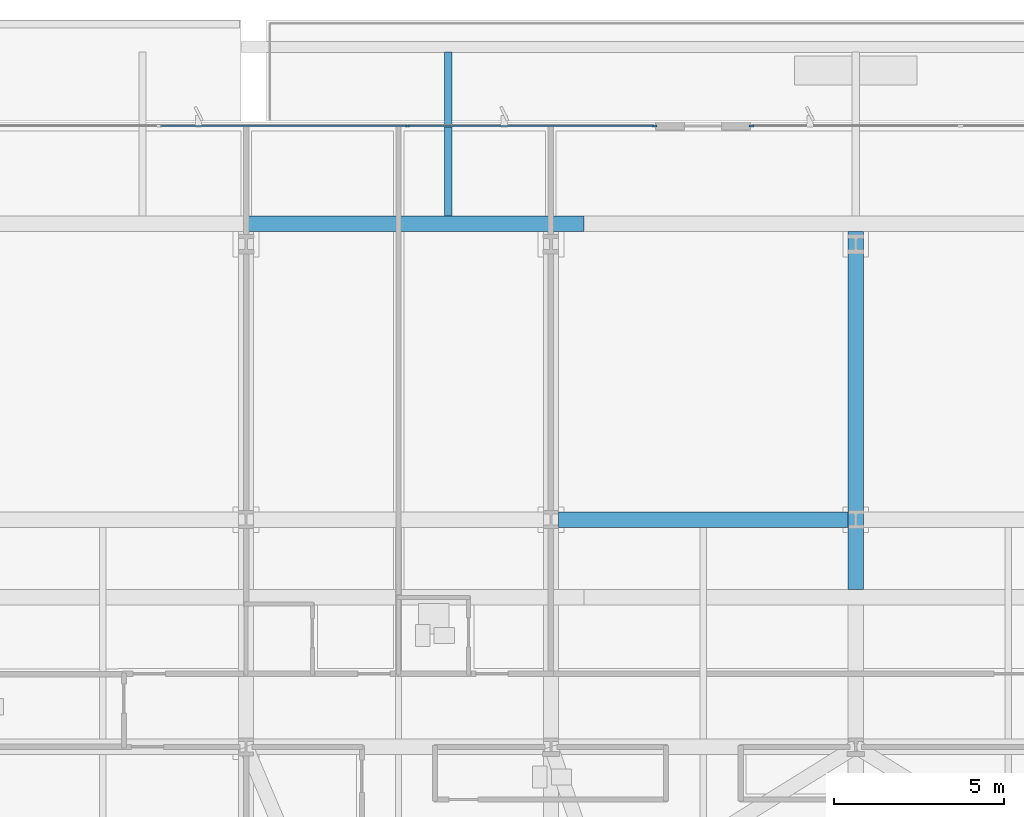
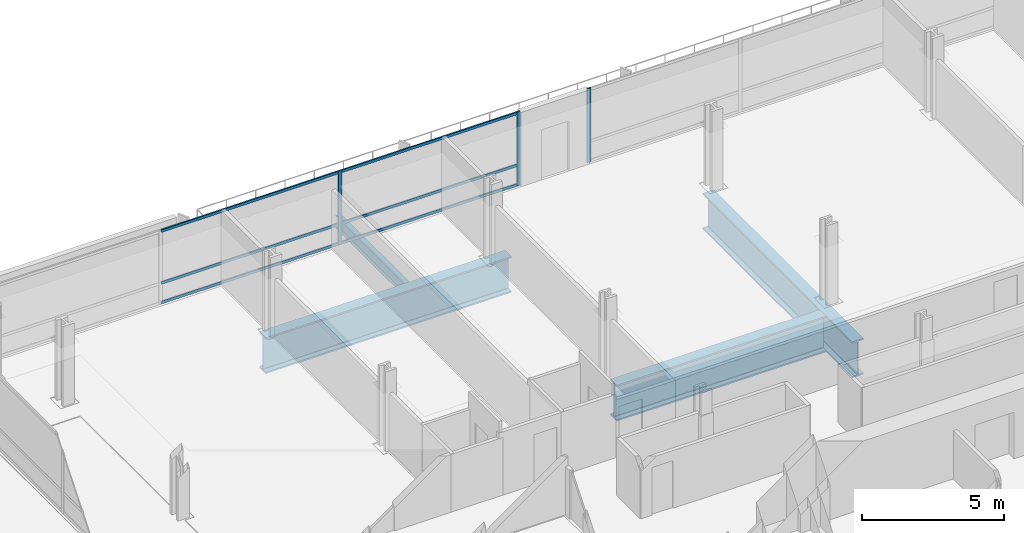
# One storey, part 12 of 25: 9 members, 4 beams, 2 elements without a shape of their own.
"""IFC4 building model written with IfcOpenShell, lengths in metres."""

from ifc_helpers import new_model, si_unit, direction, frame, origin, origin_2d, place, context, subcontext, project, spatial, rectangle, i_section, extrude, material, material_profile, profile_set, type_object, element, aggregate, save


model = new_model("IFC4")

# Units and contexts
model_context = context("Model", 3, precision=1e-05, world=origin(), true_north=direction((0.0, 1.0)))
body_context = subcontext(model_context, "Body", "Model", "MODEL_VIEW")
ifc_project = project(units=[si_unit("LENGTHUNIT", "METRE"), si_unit("AREAUNIT", "SQUARE_METRE"), si_unit("VOLUMEUNIT", "CUBIC_METRE"), si_unit("PLANEANGLEUNIT", "RADIAN"), si_unit("MASSUNIT", "GRAM", prefix="KILO")], contexts=[model_context])

# Site, building, storey
site_placement = place(None, origin())
site = spatial("IfcSite", under=ifc_project, at=site_placement, CompositionType="ELEMENT")
building_placement = place(site_placement, origin())
building = spatial("IfcBuilding", under=site, at=building_placement, Name="Solmavex Isthmus Hotel", CompositionType="ELEMENT")
storey_placement = place(building_placement, frame((0.0, 0.0, 26.39990234375)))
storey = spatial("IfcBuildingStorey", under=building, at=storey_placement, Name="L06", CompositionType="ELEMENT", Elevation=26.39990234375)

# Beams
ifc_material_1 = material(Name="Steel ASTM A992 Grade 50", Category="steel")
ifc_material_profile_1 = material_profile(ifc_material_1, i_section(OverallWidth=0.21240234375, OverallDepth=0.544189453125, WebThickness=0.01318359375, FlangeThickness=0.021240234375, FilletRadius=0.013916015625, at=origin_2d()), Name="W21X83")
ifc_profile_set_1 = profile_set([ifc_material_profile_1], Name="Steel ASTM A992 Grade 50")
beam_type_1 = type_object("IfcBeamType", Name="BM-BM-W21X83", PredefinedType="BEAM", material=ifc_profile_set_1)
beam_1_placement = place(storey_placement, frame((-12.0, 17.72509765625, -0.72216796875), z_axis=(0.0, 1.0, 0.0), x_axis=(-1.0, 0.0, 0.0)))
element("IfcBeam", 1, at=beam_1_placement, inside=storey, type_object=beam_type_1, Name="Podium Roof Terrace Framing Beam PRN-03", PredefinedType="BEAM", context=body_context, shape_type="SweptSolid", body=[
    extrude(i_section(OverallWidth=0.21240234375, OverallDepth=0.544189453125, WebThickness=0.01318359375, FlangeThickness=0.021240234375, FilletRadius=0.013916015625, at=origin_2d()), origin(), (0.0, 0.0, 1.0), 4.8349609375),
])
ifc_material_2 = material(Name="Steel ASTM A572 Grade 50", Category="steel")
ifc_material_profile_2 = material_profile(ifc_material_2, i_section(OverallWidth=0.449951171875, OverallDepth=1.550048828125, WebThickness=0.031982421875, FlangeThickness=0.06494140625, FilletRadius=0.030517578125, at=origin_2d()), Name="I1550X450")
ifc_profile_set_2 = profile_set([ifc_material_profile_2], Name="Steel ASTM A572 Grade 50")
beam_type_2 = type_object("IfcBeamType", Name="BM-TB-G1550", PredefinedType="BEAM", material=ifc_profile_set_2)
beam_2_placement = place(storey_placement, frame((-18.0, 17.5, -1.224853515625), z_axis=(1.0, 0.0, 0.0), x_axis=(0.0, 1.0, 0.0)))
element("IfcBeam", 2, at=beam_2_placement, inside=storey, type_object=beam_type_2, Name="Podium-to-Tower Mega Transfer Girder L06-MG11", PredefinedType="BEAM", context=body_context, shape_type="SweptSolid", body=[
    extrude(i_section(OverallWidth=0.449951171875, OverallDepth=1.550048828125, WebThickness=0.031982421875, FlangeThickness=0.06494140625, FilletRadius=0.030517578125, at=origin_2d()), origin(), (0.0, 0.0, 1.0), 10.0),
])
beam_3_placement = place(storey_placement, frame((0.0, 6.72509765625, -1.224853515625), z_axis=(0.0, 1.0, 0.0), x_axis=(-1.0, 0.0, 0.0)))
element("IfcBeam", 3, at=beam_3_placement, inside=storey, type_object=beam_type_2, Name="Tower Column Root Transfer Girder L06-MNS4C", PredefinedType="BEAM", context=body_context, shape_type="SweptSolid", body=[
    extrude(i_section(OverallWidth=0.449951171875, OverallDepth=1.550048828125, WebThickness=0.031982421875, FlangeThickness=0.06494140625, FilletRadius=0.030517578125, at=origin_2d()), origin(), (0.0, 0.0, 1.0), 10.5498046875),
])
beam_4_placement = place(storey_placement, frame((-8.7509765625, 8.7880859375, -1.224853515625), z_axis=(1.0, 0.0, 0.0), x_axis=(0.0, 1.0, 0.0)))
element("IfcBeam", 4, at=beam_4_placement, inside=storey, type_object=beam_type_2, Name="Outrigger Collector Girder L06-UG15", PredefinedType="BEAM", context=body_context, shape_type="SweptSolid", body=[
    extrude(i_section(OverallWidth=0.449951171875, OverallDepth=1.550048828125, WebThickness=0.031982421875, FlangeThickness=0.06494140625, FilletRadius=0.030517578125, at=origin_2d()), origin(), (0.0, 0.0, 1.0), 8.52587890625),
])

# Curtain wall, members
ifc_material_3 = material(Name="Aluminium alloy 6063-T6", Category="aluminium")
curtain_wall_type = type_object("IfcCurtainWallType", Name="CW-SYS-06", PredefinedType="NOTDEFINED", material=ifc_material_3)
curtain_wall_1_placement = place(storey_placement, origin())
curtain_wall_1 = element("IfcCurtainWall", 5, at=curtain_wall_1_placement, inside=storey, type_object=curtain_wall_type, Name="Stick Curtain Wall CWL-L06-N1", PredefinedType="NOTDEFINED")
ifc_material_profile_3 = material_profile(ifc_material_3, rectangle(XDim=0.06005859375, YDim=0.139892578125, at=origin_2d()), Name="CWM-60X140")
ifc_profile_set_3 = profile_set([ifc_material_profile_3], Name="Aluminium alloy 6063-T6")
member_type_1 = type_object("IfcMemberType", Name="CW-SYS-06-MUL", PredefinedType="MULLION", material=ifc_profile_set_3)
member_1_placement = place(storey_placement, frame((-13.199951171875, 20.3798828125, 0.0), z_axis=(0.0, 0.0, 1.0), x_axis=(0.0, 1.0, 0.0)))
member_1 = element("IfcMember", 6, at=member_1_placement, type_object=member_type_1, Name="CW-06 mullion 3", PredefinedType="MULLION", context=body_context, shape_type="SweptSolid", body=[
    extrude(rectangle(XDim=0.06005859375, YDim=0.139892578125, at=origin_2d()), origin(), (0.0, 0.0, 1.0), 3.190185546875),
])
member_2_placement = place(storey_placement, frame((-5.929931640625, 20.3798828125, 0.0), z_axis=(0.0, 0.0, 1.0), x_axis=(0.0, 1.0, 0.0)))
member_2 = element("IfcMember", 7, at=member_2_placement, type_object=member_type_1, Name="CW-06 mullion 4", PredefinedType="MULLION", context=body_context, shape_type="SweptSolid", body=[
    extrude(rectangle(XDim=0.06005859375, YDim=0.139892578125, at=origin_2d()), origin(), (0.0, 0.0, 1.0), 3.190185546875),
])

# Curtain wall, member
curtain_wall_2_placement = place(storey_placement, origin())
curtain_wall_2 = element("IfcCurtainWall", 8, at=curtain_wall_2_placement, inside=storey, type_object=curtain_wall_type, Name="Stick Curtain Wall CWL-L06-N2", PredefinedType="NOTDEFINED")
member_3_placement = place(storey_placement, frame((-3.070068359375, 20.3798828125, 0.0), z_axis=(0.0, 0.0, 1.0), x_axis=(0.0, 1.0, 0.0)))
member_3 = element("IfcMember", 9, at=member_3_placement, type_object=member_type_1, Name="CW-06 mullion 1", PredefinedType="MULLION", context=body_context, shape_type="SweptSolid", body=[
    extrude(rectangle(XDim=0.06005859375, YDim=0.139892578125, at=origin_2d()), origin(), (0.0, 0.0, 1.0), 3.190185546875),
])
aggregate(curtain_wall_2, [member_3])

# Member
ifc_material_profile_4 = material_profile(ifc_material_3, rectangle(XDim=0.06005859375, YDim=0.114990234375, at=origin_2d()), Name="CWT-60X115")
ifc_profile_set_4 = profile_set([ifc_material_profile_4], Name="Aluminium alloy 6063-T6")
member_type_2 = type_object("IfcMemberType", Name="CW-SYS-06-TRN", PredefinedType="USERDEFINED", material=ifc_profile_set_4)
member_4_placement = place(storey_placement, frame((-20.469970703125, 20.3798828125, 0.0576171875), z_axis=(1.0, 0.0, 0.0), x_axis=(0.0, 1.0, 0.0)))
member_4 = element("IfcMember", 10, at=member_4_placement, type_object=member_type_2, Name="CW-06 transom 2.1", ObjectType="TRANSOM", PredefinedType="USERDEFINED", context=body_context, shape_type="SweptSolid", body=[
    extrude(rectangle(XDim=0.06005859375, YDim=0.114990234375, at=origin_2d()), origin(), (0.0, 0.0, 1.0), 7.239990234375),
])

member_5_placement = place(storey_placement, frame((-20.469970703125, 20.3798828125, 0.900146484375), z_axis=(1.0, 0.0, 0.0), x_axis=(0.0, 1.0, 0.0)))
member_5 = element("IfcMember", 11, at=member_5_placement, type_object=member_type_2, Name="CW-06 transom 2.2", ObjectType="TRANSOM", PredefinedType="USERDEFINED", context=body_context, shape_type="SweptSolid", body=[
    extrude(rectangle(XDim=0.06005859375, YDim=0.114990234375, at=origin_2d()), origin(), (0.0, 0.0, 1.0), 7.239990234375),
])

member_6_placement = place(storey_placement, frame((-20.469970703125, 20.3798828125, 3.132568359375), z_axis=(1.0, 0.0, 0.0), x_axis=(0.0, 1.0, 0.0)))
member_6 = element("IfcMember", 12, at=member_6_placement, type_object=member_type_2, Name="CW-06 transom 2.3", ObjectType="TRANSOM", PredefinedType="USERDEFINED", context=body_context, shape_type="SweptSolid", body=[
    extrude(rectangle(XDim=0.06005859375, YDim=0.114990234375, at=origin_2d()), origin(), (0.0, 0.0, 1.0), 7.239990234375),
])

member_7_placement = place(storey_placement, frame((-13.169921875, 20.3798828125, 0.0576171875), z_axis=(1.0, 0.0, 0.0), x_axis=(0.0, 1.0, 0.0)))
member_7 = element("IfcMember", 13, at=member_7_placement, type_object=member_type_2, Name="CW-06 transom 3.1", ObjectType="TRANSOM", PredefinedType="USERDEFINED", context=body_context, shape_type="SweptSolid", body=[
    extrude(rectangle(XDim=0.06005859375, YDim=0.114990234375, at=origin_2d()), origin(), (0.0, 0.0, 1.0), 7.2099609375),
])

member_8_placement = place(storey_placement, frame((-13.169921875, 20.3798828125, 0.900146484375), z_axis=(1.0, 0.0, 0.0), x_axis=(0.0, 1.0, 0.0)))
member_8 = element("IfcMember", 14, at=member_8_placement, type_object=member_type_2, Name="CW-06 transom 3.2", ObjectType="TRANSOM", PredefinedType="USERDEFINED", context=body_context, shape_type="SweptSolid", body=[
    extrude(rectangle(XDim=0.06005859375, YDim=0.114990234375, at=origin_2d()), origin(), (0.0, 0.0, 1.0), 7.2099609375),
])

member_9_placement = place(storey_placement, frame((-13.169921875, 20.3798828125, 3.132568359375), z_axis=(1.0, 0.0, 0.0), x_axis=(0.0, 1.0, 0.0)))
member_9 = element("IfcMember", 15, at=member_9_placement, type_object=member_type_2, Name="CW-06 transom 3.3", ObjectType="TRANSOM", PredefinedType="USERDEFINED", context=body_context, shape_type="SweptSolid", body=[
    extrude(rectangle(XDim=0.06005859375, YDim=0.114990234375, at=origin_2d()), origin(), (0.0, 0.0, 1.0), 7.2099609375),
])

aggregate(curtain_wall_1, [member_1, member_2, member_4, member_5, member_6, member_7, member_8, member_9])

save(model, "model.ifc")
